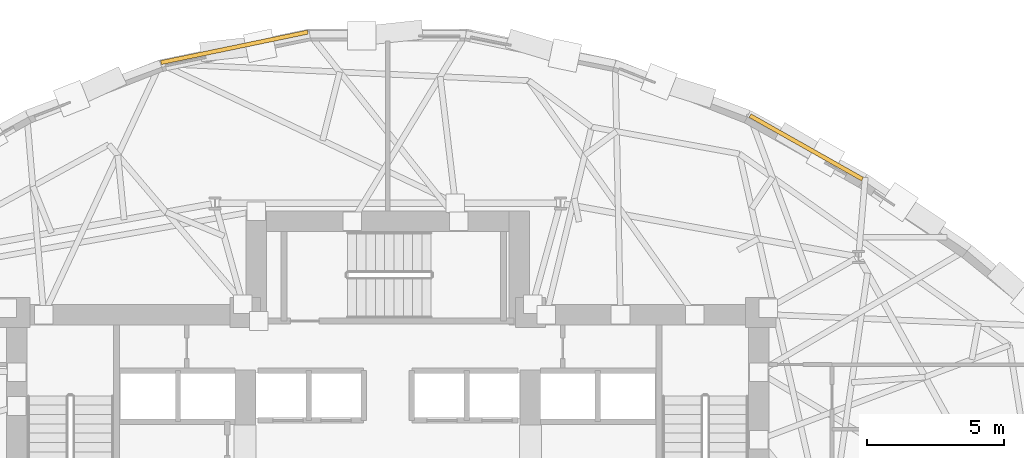
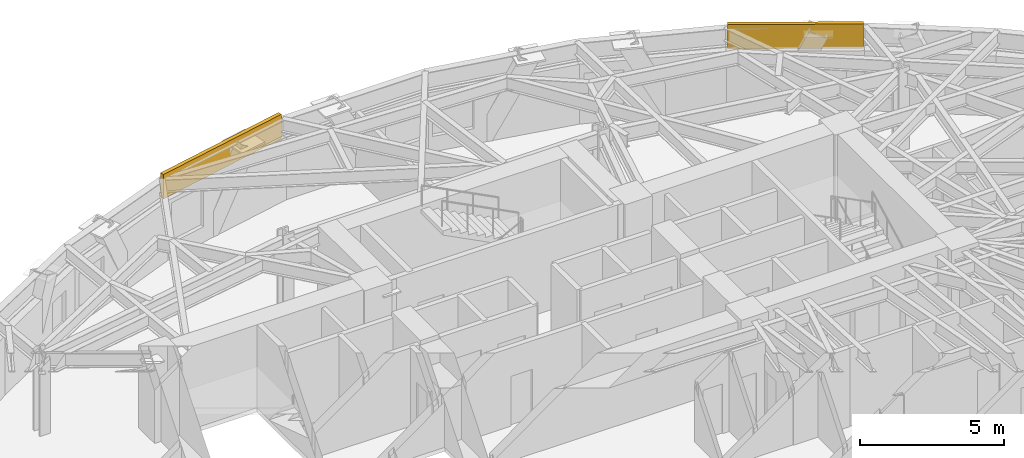
# One storey, part 14 of 14: 2 coverings.
"""IFC4 building model written with IfcOpenShell, lengths in metres."""

from ifc_helpers import new_model, si_unit, direction, frame, origin, origin_2d, place, context, subcontext, project, spatial, rectangle, extrude, material, layer, layer_set, type_object, element, save


model = new_model("IFC4")

# Units and contexts
model_context = context("Model", 3, precision=1e-05, world=origin(), true_north=direction((0.0, 1.0)))
body_context = subcontext(model_context, "Body", "Model", "MODEL_VIEW")
ifc_project = project(units=[si_unit("LENGTHUNIT", "METRE"), si_unit("AREAUNIT", "SQUARE_METRE"), si_unit("VOLUMEUNIT", "CUBIC_METRE"), si_unit("PLANEANGLEUNIT", "RADIAN"), si_unit("MASSUNIT", "GRAM", prefix="KILO")], contexts=[model_context])

# Site, building, storey
site_placement = place(None, origin())
site = spatial("IfcSite", under=ifc_project, at=site_placement, CompositionType="ELEMENT")
building_placement = place(site_placement, origin())
building = spatial("IfcBuilding", under=site, at=building_placement, Name="Keldmark Tower", CompositionType="ELEMENT")
storey_placement = place(building_placement, frame((0.0, 0.0, 86.10009765625)))
storey = spatial("IfcBuildingStorey", under=building, at=storey_placement, Name="L22", CompositionType="ELEMENT", Elevation=86.10009765625)

# Coverings
ifc_material = material(Name="Honed Kasota Buff Dolomitic Limestone", Category="masonry")
ifc_layer = layer(ifc_material, 0.074951171875)
ifc_layer_set = layer_set([ifc_layer], Name="Honed Kasota Buff Dolomitic Limestone")
covering_type = type_object("IfcCoveringType", Name="Kasota Buff Limestone Spandrel Cladding Band", PredefinedType="CLADDING", material=ifc_layer_set)
covering_1_placement = place(storey_placement, frame((15.259765625, 15.4736328125, 2.45166015625), z_axis=(0.0, 0.0, 1.0), x_axis=(-0.870716427389, 0.491785423812, 0.0)))
element("IfcCovering", 1, at=covering_1_placement, inside=storey, type_object=covering_type, Name="L22 Kasota Limestone Spandrel Band 05", PredefinedType="CLADDING", context=body_context, shape_type="SweptSolid", body=[
    extrude(rectangle(XDim=4.705078125, YDim=0.14990234375, at=origin_2d()), origin(), (0.0, 0.0, 1.0), 1.028076171875),
])
covering_2_placement = place(storey_placement, frame((-5.591796875, 19.12158203125, 2.45166015625), z_axis=(0.0, 0.0, 1.0), x_axis=(-0.979120045322, -0.203282898563, 0.0)))
element("IfcCovering", 2, at=covering_2_placement, inside=storey, type_object=covering_type, Name="L22 Kasota Limestone Spandrel Band 09", PredefinedType="CLADDING", context=body_context, shape_type="SweptSolid", body=[
    extrude(rectangle(XDim=5.4716796875, YDim=0.14990234375, at=origin_2d()), origin(), (0.0, 0.0, 1.0), 1.028076171875),
])

save(model, "model.ifc")
